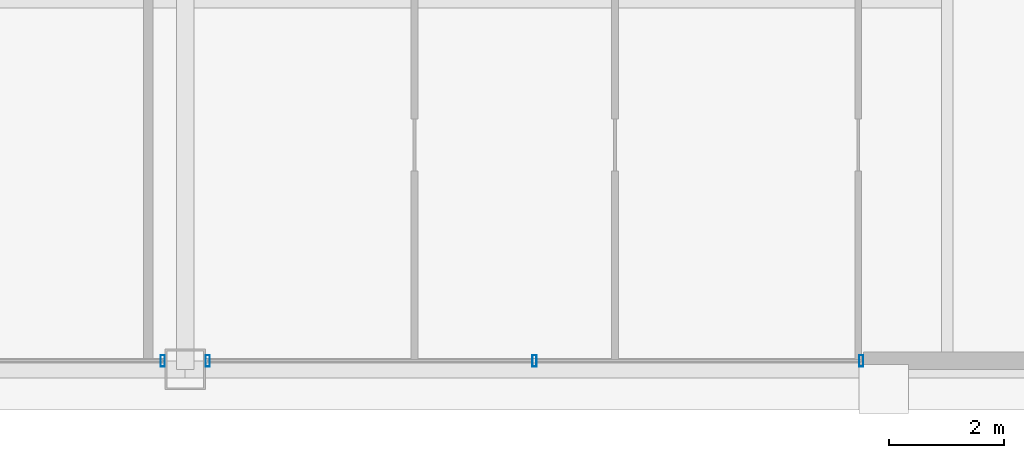
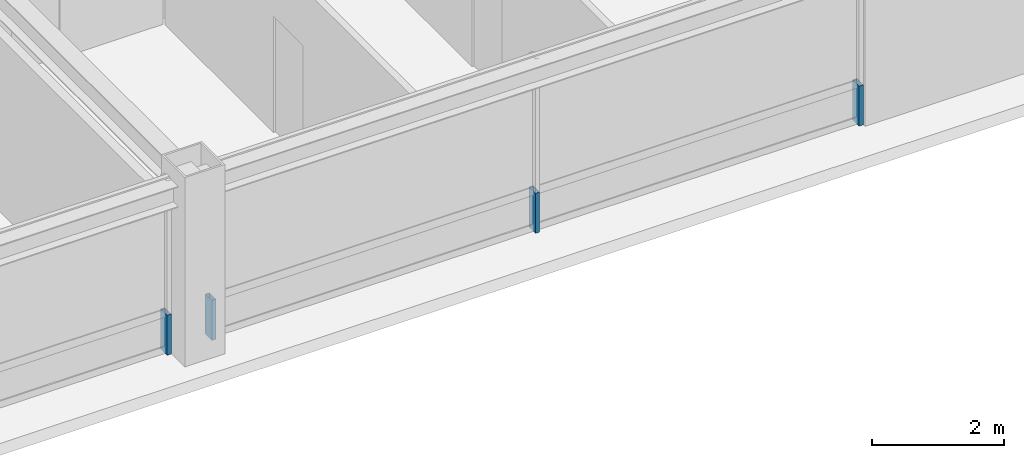
# One storey, part 23 of 35: 4 members, 2 elements without a shape of their own.
"""IFC4 building model written with IfcOpenShell, lengths in metres."""

from ifc_helpers import new_model, si_unit, direction, frame, origin, origin_2d, place, context, subcontext, project, spatial, hollow_rectangle, extrude, source, transform, mapped, material, layer, layer_set, material_profile, profile_set, type_object, element, aggregate, save


model = new_model("IFC4")

# Units and contexts
model_context = context("Model", 3, precision=1e-05, world=origin(), true_north=direction((0.0, 1.0)))
body_context = subcontext(model_context, "Body", "Model", "MODEL_VIEW")
ifc_project = project(units=[si_unit("LENGTHUNIT", "METRE"), si_unit("AREAUNIT", "SQUARE_METRE"), si_unit("VOLUMEUNIT", "CUBIC_METRE"), si_unit("PLANEANGLEUNIT", "RADIAN"), si_unit("MASSUNIT", "GRAM", prefix="KILO"), si_unit("THERMODYNAMICTEMPERATUREUNIT", "KELVIN"), si_unit("POWERUNIT", "WATT")], contexts=[model_context])

# Site, building, storey
site_placement = place(None, origin())
site = spatial("IfcSite", under=ifc_project, at=site_placement, CompositionType="ELEMENT")
building_placement = place(site_placement, origin())
building = spatial("IfcBuilding", under=site, at=building_placement, Name="Yuzanri Waterfront Tower", CompositionType="ELEMENT")
storey_placement = place(building_placement, frame((0.0, 0.0, 303.10009765625)))
storey = spatial("IfcBuildingStorey", under=building, at=storey_placement, Name="L81", CompositionType="ELEMENT", Elevation=303.10009765625)

# Curtain wall, member
ifc_material_1 = material(Name="Anodized Architectural Bronze", Category="metal")
ifc_layer = layer(ifc_material_1, 0.159912109375)
ifc_layer_set = layer_set([ifc_layer], Name="Anodized Architectural Bronze")
curtain_wall_type = type_object("IfcCurtainWallType", Name="Anodized Bronze High-Rise Penthouse High-Wind Unitized Curtain Wall 6900", PredefinedType="NOTDEFINED", material=ifc_layer_set)
curtain_wall_1_placement = place(storey_placement, origin())
curtain_wall_1 = element("IfcCurtainWall", 1, at=curtain_wall_1_placement, inside=storey, type_object=curtain_wall_type, Name="L81 Curtain Wall CW-L81-SL", PredefinedType="NOTDEFINED")
ifc_material_2 = material(Name="Anodized Architectural Bronze", Category="metal")
ifc_material_profile = material_profile(ifc_material_2, hollow_rectangle(XDim=0.074951171875, YDim=0.199951171875, WallThickness=0.00390625, at=origin_2d()), Name="CWM 75x200")
ifc_profile_set = profile_set([ifc_material_profile], Name="Anodized Architectural Bronze")
member_type = type_object("IfcMemberType", Name="Anodized Bronze Primary Curtain-Wall Mullion 75x200", PredefinedType="MULLION", material=ifc_profile_set)
shared_shape = source(origin(), body_context, "Body", "SweptSolid", [
    extrude(hollow_rectangle(XDim=0.074951171875, YDim=0.199951171875, WallThickness=0.00390625, at=origin_2d()), origin(), (0.0, 0.0, 1.0), 0.739013671875),
])
member_1_placement = place(storey_placement, frame((36.610107421875, 6.85009765625, 0.0), z_axis=(0.0, 0.0, 1.0), x_axis=(1.0, 0.0, 0.0)))
member_1 = element("IfcMember", 2, at=member_1_placement, type_object=member_type, Name="CW-L81-SL Lower Mullion 02", PredefinedType="MULLION", context=body_context, shape_type="MappedRepresentation", body=[
    mapped(shared_shape, transform((0.0, 0.0, 0.0), scale=1.0)),
])
aggregate(curtain_wall_1, [member_1])

# Curtain wall, members
curtain_wall_2_placement = place(storey_placement, origin())
curtain_wall_2 = element("IfcCurtainWall", 3, at=curtain_wall_2_placement, inside=storey, type_object=curtain_wall_type, Name="L81 Curtain Wall CW-L81-SR", PredefinedType="NOTDEFINED")
member_2_placement = place(storey_placement, frame((37.389892578125, 6.85009765625, 0.0), z_axis=(0.0, 0.0, 1.0), x_axis=(1.0, 0.0, 0.0)))
member_2 = element("IfcMember", 4, at=member_2_placement, type_object=member_type, Name="CW-L81-SR Lower Mullion 00", PredefinedType="MULLION", context=body_context, shape_type="MappedRepresentation", body=[
    mapped(shared_shape, transform((0.0, 0.0, 0.0), scale=1.0)),
])
member_3_placement = place(storey_placement, frame((43.050048828125, 6.85009765625, 0.0), z_axis=(0.0, 0.0, 1.0), x_axis=(1.0, 0.0, 0.0)))
member_3 = element("IfcMember", 5, at=member_3_placement, type_object=member_type, Name="CW-L81-SR Lower Mullion 01", PredefinedType="MULLION", context=body_context, shape_type="MappedRepresentation", body=[
    mapped(shared_shape, transform((0.0, 0.0, 0.0), scale=1.0)),
])
member_4_placement = place(storey_placement, frame((48.7099609375, 6.85009765625, 0.0), z_axis=(0.0, 0.0, 1.0), x_axis=(1.0, 0.0, 0.0)))
member_4 = element("IfcMember", 6, at=member_4_placement, type_object=member_type, Name="CW-L81-SR Lower Mullion 02", PredefinedType="MULLION", context=body_context, shape_type="MappedRepresentation", body=[
    mapped(shared_shape, transform((0.0, 0.0, 0.0), scale=1.0)),
])
aggregate(curtain_wall_2, [member_2, member_3, member_4])

save(model, "model.ifc")
